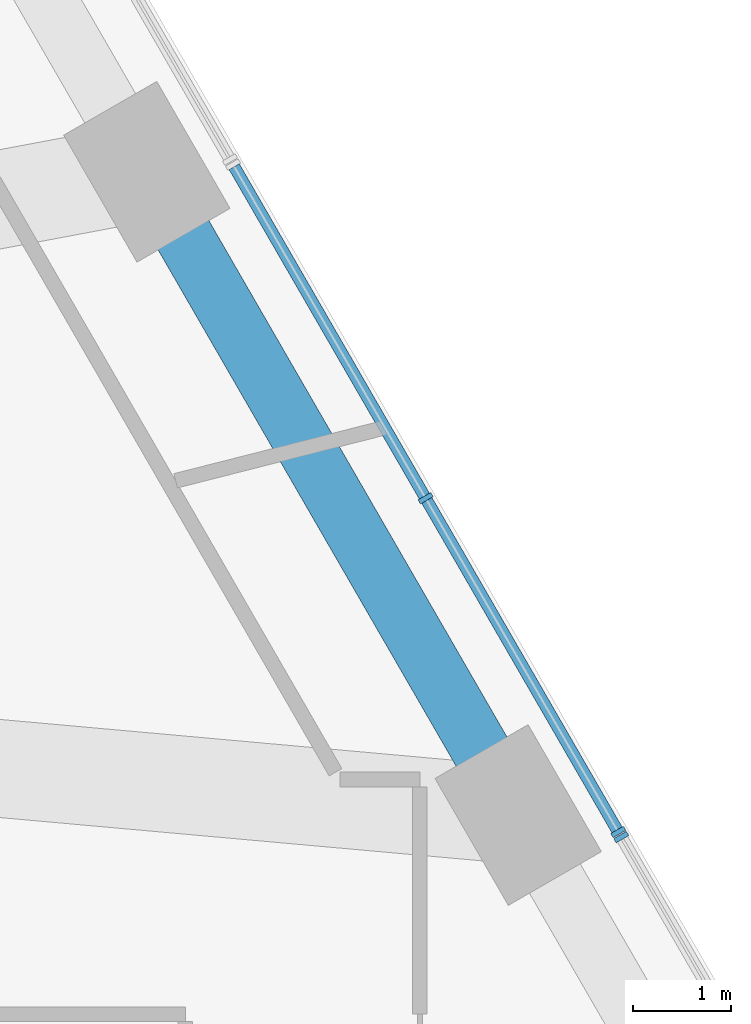
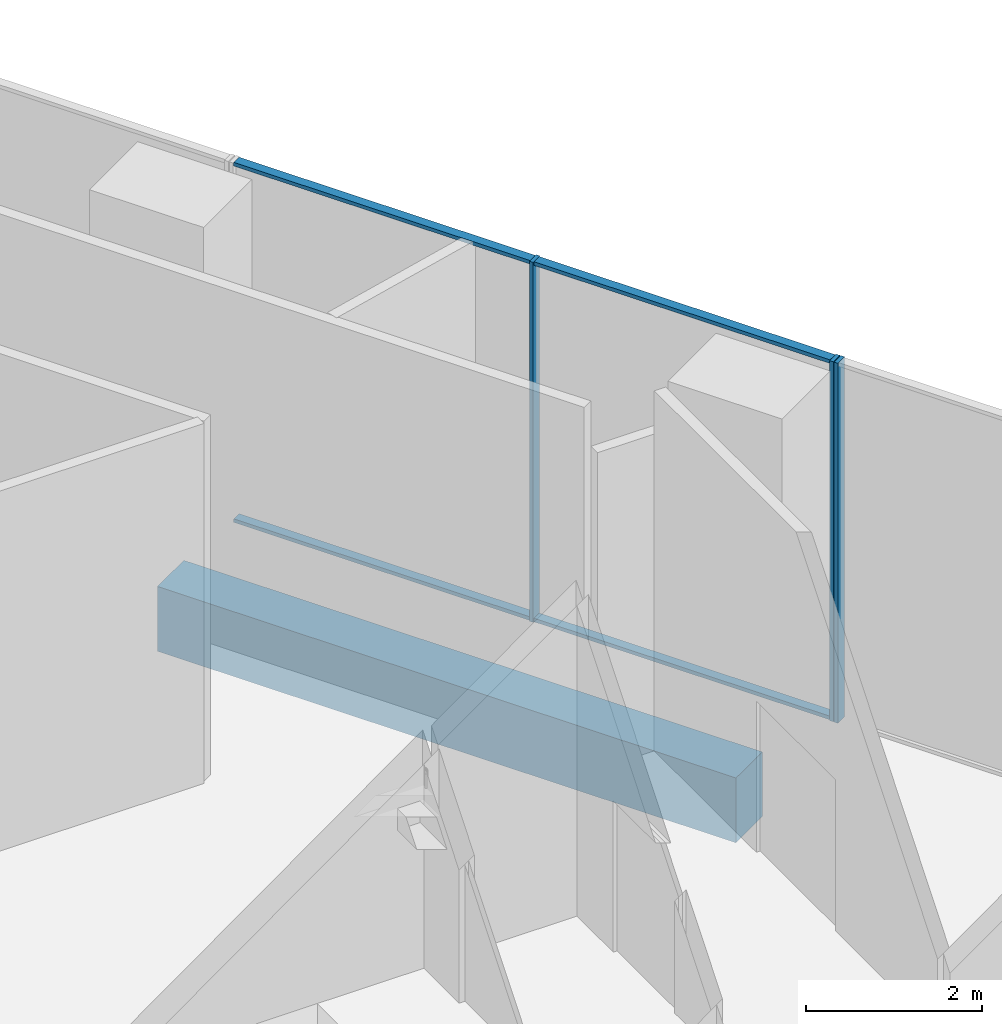
# One storey, part 12 of 32: 7 members, 1 beam, 2 elements without a shape of their own.
"""IFC4 building model written with IfcOpenShell, lengths in metres."""

from ifc_helpers import new_model, si_unit, direction, frame, origin, origin_2d, place, context, subcontext, project, spatial, rectangle, extrude, material, layer, layer_set, material_profile, profile_set, type_object, element, aggregate, save


model = new_model("IFC4")

# Units and contexts
model_context = context("Model", 3, precision=1e-05, world=origin(), true_north=direction((0.0, 1.0)))
body_context = subcontext(model_context, "Body", "Model", "MODEL_VIEW")
ifc_project = project(units=[si_unit("LENGTHUNIT", "METRE"), si_unit("AREAUNIT", "SQUARE_METRE"), si_unit("VOLUMEUNIT", "CUBIC_METRE"), si_unit("PLANEANGLEUNIT", "RADIAN"), si_unit("MASSUNIT", "GRAM", prefix="KILO")], contexts=[model_context])

# Site, building, storey
site_placement = place(None, origin())
site = spatial("IfcSite", under=ifc_project, at=site_placement, CompositionType="ELEMENT")
building_placement = place(site_placement, origin())
building = spatial("IfcBuilding", under=site, at=building_placement, Name="Triada Interchange Tower", CompositionType="ELEMENT")
storey_placement = place(building_placement, frame((0.0, 0.0, 14.5)))
storey = spatial("IfcBuildingStorey", under=building, at=storey_placement, Name="L02", CompositionType="ELEMENT", Elevation=14.5)

# Curtain wall, member
ifc_material_1 = material(Name="Aluminium framed glazing", Category="aluminium")
ifc_layer = layer(ifc_material_1, 0.199951171875)
ifc_layer_set = layer_set([ifc_layer], Name="Curtain wall Retail shopfront")
curtain_wall_type = type_object("IfcCurtainWallType", Name="Curtain wall Retail shopfront", PredefinedType="NOTDEFINED", material=ifc_layer_set)
curtain_wall_1_placement = place(storey_placement, origin())
curtain_wall_1 = element("IfcCurtainWall", 1, at=curtain_wall_1_placement, inside=storey, type_object=curtain_wall_type, Name="Retail shopfront CW014 L02", PredefinedType="NOTDEFINED")
ifc_material_2 = material(Name="Aluminium", Category="aluminium")
ifc_material_profile_1 = material_profile(ifc_material_2, rectangle(XDim=0.14990234375, YDim=0.050048828125, at=origin_2d()), Name="Aluminium mullion")
ifc_profile_set_1 = profile_set([ifc_material_profile_1], Name="Aluminium")
member_type_1 = type_object("IfcMemberType", Name="Mullion Retail shopfront 150x50", PredefinedType="MULLION", material=ifc_profile_set_1)
member_1_placement = place(storey_placement, frame((27.360595703125, -2.588623046875, 0.0), z_axis=(0.0, 0.0, 1.0), x_axis=(-0.866055473648, -0.499947913852, 0.0)))
member_1 = element("IfcMember", 2, at=member_1_placement, type_object=member_type_1, Name="CW014 mullion 3", PredefinedType="MULLION", context=body_context, shape_type="SweptSolid", body=[
    extrude(rectangle(XDim=0.14990234375, YDim=0.050048828125, at=origin_2d()), origin(), (0.0, 0.0, 1.0), 5.0),
])
aggregate(curtain_wall_1, [member_1])

# Curtain wall, members
curtain_wall_2_placement = place(storey_placement, origin())
curtain_wall_2 = element("IfcCurtainWall", 3, at=curtain_wall_2_placement, inside=storey, type_object=curtain_wall_type, Name="Retail shopfront CW015 L02", PredefinedType="NOTDEFINED")
member_2_placement = place(storey_placement, frame((27.32958984375, -2.536376953125, 0.0), z_axis=(0.0, 0.0, 1.0), x_axis=(-0.866055473648, -0.499947913852, 0.0)))
member_2 = element("IfcMember", 4, at=member_2_placement, type_object=member_type_1, Name="CW015 mullion 1", PredefinedType="MULLION", context=body_context, shape_type="SweptSolid", body=[
    extrude(rectangle(XDim=0.14990234375, YDim=0.050048828125, at=origin_2d()), origin(), (0.0, 0.0, 1.0), 5.0),
])
member_3_placement = place(storey_placement, frame((25.3583984375, 0.8779296875, 0.0), z_axis=(0.0, 0.0, 1.0), x_axis=(-0.866055473648, -0.499947913852, 0.0)))
member_3 = element("IfcMember", 5, at=member_3_placement, type_object=member_type_1, Name="CW015 mullion 2", PredefinedType="MULLION", context=body_context, shape_type="SweptSolid", body=[
    extrude(rectangle(XDim=0.14990234375, YDim=0.050048828125, at=origin_2d()), origin(), (0.0, 0.0, 1.0), 5.0),
])

# Beam
ifc_material_3 = material(Name="Concrete C50/60", Category="concrete")
ifc_material_profile_2 = material_profile(ifc_material_3, rectangle(XDim=0.60009765625, YDim=0.89990234375, at=origin_2d()), Name="RC 600x900")
ifc_profile_set_2 = profile_set([ifc_material_profile_2], Name="Concrete C50/60")
beam_type = type_object("IfcBeamType", Name="Spandrel beam P RC 600x900", PredefinedType="BEAM", material=ifc_profile_set_2)
beam_placement = place(storey_placement, frame((26.305908203125, -2.363037109375, -0.85009765625), z_axis=(-0.499967155389, 0.866044365799, 0.0), x_axis=(-0.866044365799, -0.499967155389, 0.0)))
element("IfcBeam", 6, at=beam_placement, inside=storey, type_object=beam_type, Name="Spandrel beam EP23 L02", PredefinedType="BEAM", context=body_context, shape_type="SweptSolid", body=[
    extrude(rectangle(XDim=0.60009765625, YDim=0.89990234375, at=origin_2d()), origin(), (0.0, 0.0, 1.0), 7.60009765625),
])

# Member
ifc_material_profile_3 = material_profile(ifc_material_2, rectangle(XDim=0.1201171875, YDim=0.050048828125, at=origin_2d()), Name="Aluminium transom")
ifc_profile_set_3 = profile_set([ifc_material_profile_3], Name="Aluminium")
member_type_2 = type_object("IfcMemberType", Name="Transom Retail shopfront 120x50", PredefinedType="USERDEFINED", material=ifc_profile_set_3)
member_4_placement = place(storey_placement, frame((27.31689453125, -2.5146484375, 0.02490234375), z_axis=(-0.499903441657, 0.866081144593, 0.0), x_axis=(-0.866081144593, -0.499903441657, 0.0)))
member_4 = element("IfcMember", 7, at=member_4_placement, type_object=member_type_2, Name="CW015 transom 1.1", ObjectType="TRANSOM", PredefinedType="USERDEFINED", context=body_context, shape_type="SweptSolid", body=[
    extrude(rectangle(XDim=0.1201171875, YDim=0.050048828125, at=origin_2d()), origin(), (0.0, 0.0, 1.0), 3.892333984375),
])

member_5_placement = place(storey_placement, frame((27.31689453125, -2.5146484375, 4.97509765625), z_axis=(-0.499903441657, 0.866081144593, 0.0), x_axis=(-0.866081144593, -0.499903441657, 0.0)))
member_5 = element("IfcMember", 8, at=member_5_placement, type_object=member_type_2, Name="CW015 transom 1.2", ObjectType="TRANSOM", PredefinedType="USERDEFINED", context=body_context, shape_type="SweptSolid", body=[
    extrude(rectangle(XDim=0.1201171875, YDim=0.050048828125, at=origin_2d()), origin(), (0.0, 0.0, 1.0), 3.892333984375),
])

member_6_placement = place(storey_placement, frame((25.345947265625, 0.899658203125, 0.02490234375), z_axis=(-0.499950487857, 0.866053987747, 0.0), x_axis=(-0.866053987747, -0.499950487857, 0.0)))
member_6 = element("IfcMember", 9, at=member_6_placement, type_object=member_type_2, Name="CW015 transom 2.1", ObjectType="TRANSOM", PredefinedType="USERDEFINED", context=body_context, shape_type="SweptSolid", body=[
    extrude(rectangle(XDim=0.1201171875, YDim=0.050048828125, at=origin_2d()), origin(), (0.0, 0.0, 1.0), 3.892578125),
])

member_7_placement = place(storey_placement, frame((25.345947265625, 0.899658203125, 4.97509765625), z_axis=(-0.499950487857, 0.866053987747, 0.0), x_axis=(-0.866053987747, -0.499950487857, 0.0)))
member_7 = element("IfcMember", 10, at=member_7_placement, type_object=member_type_2, Name="CW015 transom 2.2", ObjectType="TRANSOM", PredefinedType="USERDEFINED", context=body_context, shape_type="SweptSolid", body=[
    extrude(rectangle(XDim=0.1201171875, YDim=0.050048828125, at=origin_2d()), origin(), (0.0, 0.0, 1.0), 3.892578125),
])

aggregate(curtain_wall_2, [member_2, member_3, member_4, member_5, member_6, member_7])

save(model, "model.ifc")
